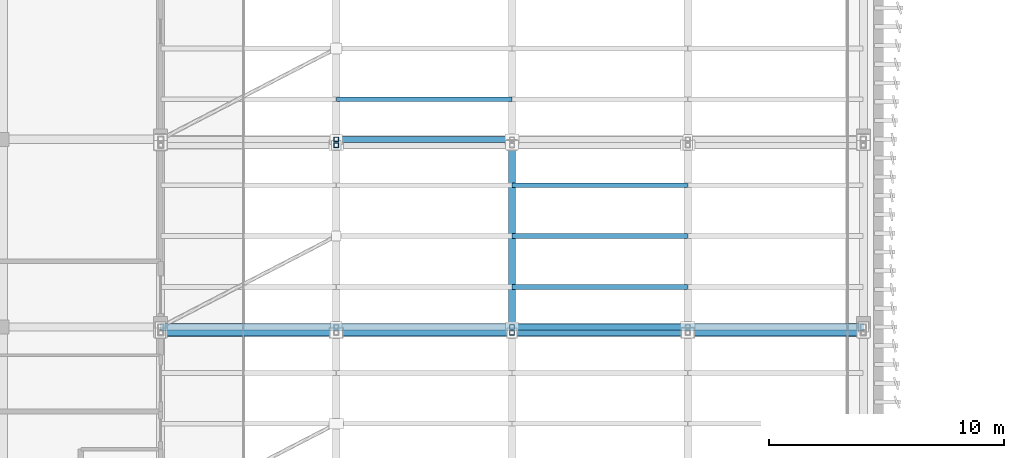
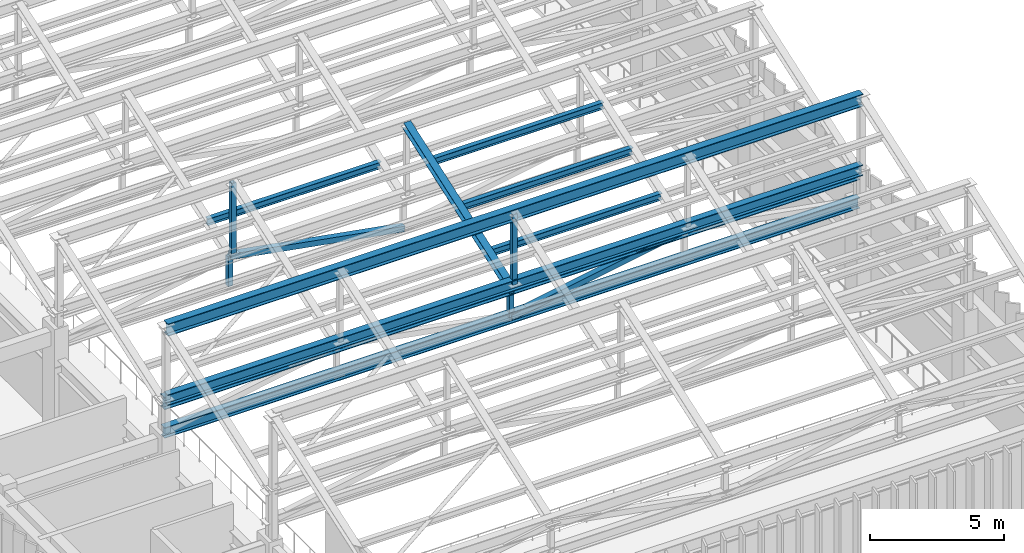
# One storey, part 6 of 76: 15 members.
"""IFC4 building model written with IfcOpenShell, lengths in metres."""

from ifc_helpers import new_model, si_unit, direction, frame, origin, origin_2d, place, context, subcontext, project, spatial, hollow_rectangle, i_section, extrude, material, material_profile, profile_set, type_object, element, save


model = new_model("IFC4")

# Units and contexts
model_context = context("Model", 3, precision=1e-05, world=origin(), true_north=direction((0.0, 1.0)))
body_context = subcontext(model_context, "Body", "Model", "MODEL_VIEW")
ifc_project = project(units=[si_unit("LENGTHUNIT", "METRE"), si_unit("AREAUNIT", "SQUARE_METRE"), si_unit("VOLUMEUNIT", "CUBIC_METRE"), si_unit("PLANEANGLEUNIT", "RADIAN"), si_unit("MASSUNIT", "GRAM", prefix="KILO")], contexts=[model_context])

# Site, building, storey
site_placement = place(None, origin())
site = spatial("IfcSite", under=ifc_project, at=site_placement, CompositionType="ELEMENT")
building_placement = place(site_placement, origin())
building = spatial("IfcBuilding", under=site, at=building_placement, Name="Cinchona Park Media Centre", CompositionType="ELEMENT")
storey_placement = place(building_placement, frame((0.0, 0.0, 15.60009765625)))
storey = spatial("IfcBuildingStorey", under=building, at=storey_placement, Name="L03", CompositionType="ELEMENT", Elevation=15.60009765625)

# Members
ifc_material_1 = material(Name="Steel S355", Category="steel")
ifc_material_profile_1 = material_profile(ifc_material_1, i_section(OverallWidth=0.202880859375, OverallDepth=0.302978515625, WebThickness=0.007568359375, FlangeThickness=0.01318359375, at=origin_2d()), Name="W310X60")
ifc_profile_set_1 = profile_set([ifc_material_profile_1], Name="Steel S355")
member_type_1 = type_object("IfcMemberType", Name="MEMBER-PR01-W310X60", PredefinedType="PURLIN", material=ifc_profile_set_1)
for number, where, z_axis, x_axis, name in (
    (1, (30.389892578125, 25.304931640625, 6.512451171875), (1.0, 0.0, 0.0), (0.0, 1.0, 0.0), "Sawtooth Roof Purlin PR01"),
    (2, (30.389892578125, 27.47509765625, 7.268310546875), (1.0, 0.0, 0.0), (0.0, 1.0, 0.0), "Sawtooth Roof Purlin PR01"),
    (3, (30.389892578125, 29.64501953125, 8.0244140625), (1.0, 0.0, 0.0), (0.0, 1.0, 0.0), "Sawtooth Roof Purlin PR01"),
    (4, (22.89990234375, 33.304931640625, 5.71240234375), (1.0, 0.0, 0.0), (0.0, 1.0, 0.0), "Sawtooth Roof Purlin PR01"),
):
    element("IfcMember", number, at=place(storey_placement, frame(where, z_axis=z_axis, x_axis=x_axis)), inside=storey, type_object=member_type_1, Name=name, PredefinedType="PURLIN", context=body_context, shape_type="SweptSolid", body=[
        extrude(i_section(OverallWidth=0.202880859375, OverallDepth=0.302978515625, WebThickness=0.007568359375, FlangeThickness=0.01318359375, at=origin_2d()), origin(), (0.0, 0.0, 1.0), 7.47021484375),
    ])
ifc_material_2 = material(Name="Steel S355", Category="steel")
ifc_material_profile_2 = material_profile(ifc_material_2, i_section(OverallWidth=0.318115234375, OverallDepth=0.56005859375, WebThickness=0.018310546875, FlangeThickness=0.029296875, at=origin_2d()), Name="W530X219")
ifc_profile_set_2 = profile_set([ifc_material_profile_2], Name="Steel S355")
member_type_2 = type_object("IfcMemberType", Name="MEMBER-TC01-W530X219", PredefinedType="CHORD", material=ifc_profile_set_2)
for number, where, z_axis, x_axis, name in (
    (5, (15.39990234375, 23.35009765625, 9.5), (1.0, 0.0, 0.0), (0.0, 1.0, 0.0), "ROOF TRUSS Ridge Chord V1 Bay 2"),
    (6, (15.39990234375, 23.60009765625, 6.0), (1.0, 0.0, 0.0), (0.0, 1.0, 0.0), "ROOF TRUSS Top Chord V1 B3"),
):
    element("IfcMember", number, at=place(storey_placement, frame(where, z_axis=z_axis, x_axis=x_axis)), inside=storey, type_object=member_type_2, Name=name, PredefinedType="CHORD", context=body_context, shape_type="SweptSolid", body=[
        extrude(i_section(OverallWidth=0.318115234375, OverallDepth=0.56005859375, WebThickness=0.018310546875, FlangeThickness=0.029296875, at=origin_2d()), origin(), (0.0, 0.0, 1.0), 29.960205078125),
    ])
ifc_material_3 = material(Name="Steel S355", Category="steel")
ifc_material_profile_3 = material_profile(ifc_material_3, i_section(OverallWidth=0.285888671875, OverallDepth=0.48193359375, WebThickness=0.0166015625, FlangeThickness=0.02685546875, at=origin_2d()), Name="W460X177")
ifc_profile_set_3 = profile_set([ifc_material_profile_3], Name="Steel S355")
member_type_3 = type_object("IfcMemberType", Name="MEMBER-TC02-W460X177", PredefinedType="CHORD", material=ifc_profile_set_3)
for number, where, z_axis, x_axis, name in (
    (7, (15.39990234375, 23.35009765625, 6.2998046875), (1.0, 0.0, 0.0), (0.0, 1.0, 0.0), "ROOF TRUSS Monitor Sill Chord V1 Bay 2"),
    (8, (15.39990234375, 23.60009765625, 4.64990234375), (1.0, 0.0, 0.0), (0.0, 1.0, 0.0), "ROOF TRUSS Bottom Chord V1 B3"),
):
    element("IfcMember", number, at=place(storey_placement, frame(where, z_axis=z_axis, x_axis=x_axis)), inside=storey, type_object=member_type_3, Name=name, PredefinedType="CHORD", context=body_context, shape_type="SweptSolid", body=[
        extrude(i_section(OverallWidth=0.285888671875, OverallDepth=0.48193359375, WebThickness=0.0166015625, FlangeThickness=0.02685546875, at=origin_2d()), origin(), (0.0, 0.0, 1.0), 29.960205078125),
    ])
ifc_material_4 = material(Name="Steel S355", Category="steel")
ifc_material_profile_4 = material_profile(ifc_material_4, hollow_rectangle(XDim=0.199951171875, YDim=0.199951171875, WallThickness=0.012451171875, at=origin_2d()), Name="200X200X12.5SHS")
ifc_profile_set_4 = profile_set([ifc_material_profile_4], Name="Steel S355")
member_type_4 = type_object("IfcMemberType", Name="MEMBER-TS01-SHS200X200X12.5", PredefinedType="STRUT", material=ifc_profile_set_4)
member_1_placement = place(storey_placement, frame((30.3798828125, 23.35009765625, 6.2998046875), z_axis=(0.0, 0.0, 1.0), x_axis=(1.0, 0.0, 0.0)))
element("IfcMember", 9, at=member_1_placement, inside=storey, type_object=member_type_4, Name="ROOF TRUSS Monitor Post V1 Bay 2", PredefinedType="STRUT", context=body_context, shape_type="SweptSolid", body=[
    extrude(hollow_rectangle(XDim=0.199951171875, YDim=0.199951171875, WallThickness=0.012451171875, at=origin_2d()), origin(), (0.0, 0.0, 1.0), 3.2001953125),
])
member_2_placement = place(storey_placement, frame((30.3798828125, 23.60009765625, 4.64990234375), z_axis=(0.0, 0.0, 1.0), x_axis=(1.0, 0.0, 0.0)))
element("IfcMember", 10, at=member_2_placement, inside=storey, type_object=member_type_4, Name="ROOF TRUSS Vertical Strut TN2", PredefinedType="STRUT", context=body_context, shape_type="SweptSolid", body=[
    extrude(hollow_rectangle(XDim=0.199951171875, YDim=0.199951171875, WallThickness=0.012451171875, at=origin_2d()), origin(), (0.0, 0.0, 1.0), 1.35009765625),
])
member_3_placement = place(storey_placement, frame((22.889892578125, 31.35009765625, 5.5), z_axis=(0.0, 0.0, 1.0), x_axis=(1.0, 0.0, 0.0)))
element("IfcMember", 11, at=member_3_placement, inside=storey, type_object=member_type_4, Name="ROOF TRUSS Monitor Post V1 Bay 3", PredefinedType="STRUT", context=body_context, shape_type="SweptSolid", body=[
    extrude(hollow_rectangle(XDim=0.199951171875, YDim=0.199951171875, WallThickness=0.012451171875, at=origin_2d()), origin(), (0.0, 0.0, 1.0), 3.199951171875),
])
member_4_placement = place(storey_placement, frame((22.889892578125, 31.60009765625, 3.849853515625), z_axis=(0.0, 0.0, 1.0), x_axis=(1.0, 0.0, 0.0)))
element("IfcMember", 12, at=member_4_placement, inside=storey, type_object=member_type_4, Name="ROOF TRUSS Vertical Strut TN1", PredefinedType="STRUT", context=body_context, shape_type="SweptSolid", body=[
    extrude(hollow_rectangle(XDim=0.199951171875, YDim=0.199951171875, WallThickness=0.012451171875, at=origin_2d()), origin(), (0.0, 0.0, 1.0), 1.35009765625),
])
ifc_material_5 = material(Name="Steel S355", Category="steel")
ifc_material_profile_5 = material_profile(ifc_material_5, hollow_rectangle(XDim=0.25, YDim=0.25, WallThickness=0.01611328125, at=origin_2d()), Name="250X250X16SHS")
ifc_profile_set_5 = profile_set([ifc_material_profile_5], Name="Steel S355")
member_type_5 = type_object("IfcMemberType", Name="MEMBER-TS02-SHS250X250X16", PredefinedType="STRUT", material=ifc_profile_set_5)
member_5_placement = place(storey_placement, frame((30.3798828125, 23.60009765625, 4.64990234375), z_axis=(0.984140790649, 0.0, 0.177389132082), x_axis=(0.0, 1.0, 0.0)))
element("IfcMember", 13, at=member_5_placement, inside=storey, type_object=member_type_5, Name="ROOF TRUSS Web Diagonal TN3", PredefinedType="STRUT", context=body_context, shape_type="SweptSolid", body=[
    extrude(hollow_rectangle(XDim=0.25, YDim=0.25, WallThickness=0.01611328125, at=origin_2d()), origin(), (0.0, 0.0, 1.0), 7.61083984375),
])
member_6_placement = place(storey_placement, frame((22.889892578125, 31.60009765625, 5.199951171875), z_axis=(0.984139781218, 0.0, -0.177394732232), x_axis=(0.0, 1.0, 0.0)))
element("IfcMember", 14, at=member_6_placement, inside=storey, type_object=member_type_5, Name="ROOF TRUSS Web Diagonal TN2", PredefinedType="STRUT", context=body_context, shape_type="SweptSolid", body=[
    extrude(hollow_rectangle(XDim=0.25, YDim=0.25, WallThickness=0.01611328125, at=origin_2d()), origin(), (0.0, 0.0, 1.0), 7.610595703125),
])
ifc_material_6 = material(Name="Steel S355", Category="steel")
ifc_material_profile_6 = material_profile(ifc_material_6, i_section(OverallWidth=0.304931640625, OverallDepth=0.30810546875, WebThickness=0.010009765625, FlangeThickness=0.015380859375, at=origin_2d()), Name="W310X97")
ifc_profile_set_6 = profile_set([ifc_material_profile_6], Name="Steel S355")
member_type_6 = type_object("IfcMemberType", Name="MEMBER-TS06-W310X97", PredefinedType="STRUT", material=ifc_profile_set_6)
member_7_placement = place(storey_placement, frame((30.3798828125, 23.60009765625, 6.0), z_axis=(0.0, 0.944334143314, 0.328987880888), x_axis=(-1.0, 0.0, 0.0)))
element("IfcMember", 15, at=member_7_placement, inside=storey, type_object=member_type_6, Name="ROOF TRUSS Sawtooth Rafter V1 Bay 3", PredefinedType="STRUT", context=body_context, shape_type="SweptSolid", body=[
    extrude(i_section(OverallWidth=0.304931640625, OverallDepth=0.30810546875, WebThickness=0.010009765625, FlangeThickness=0.015380859375, at=origin_2d()), origin(), (0.0, 0.0, 1.0), 8.206787109375),
])

save(model, "model.ifc")
